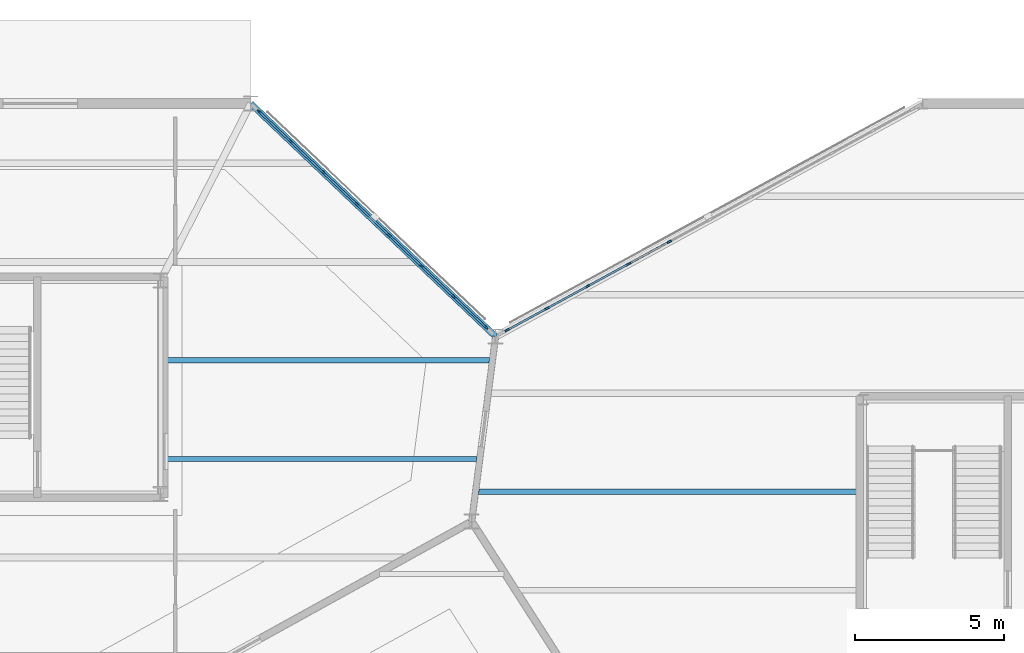
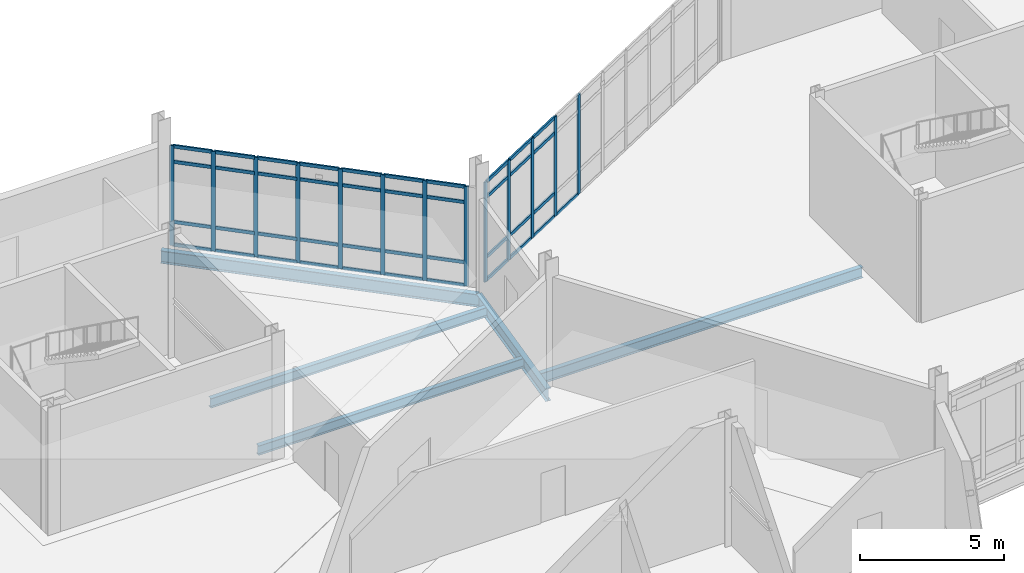
# One storey, part 65 of 113: 54 members, 5 beams, 2 elements without a shape of their own.
"""IFC4 building model written with IfcOpenShell, lengths in metres."""

import ifcopenshell
import ifcopenshell.guid

model = None  # the IFC model being written
_history = None  # IfcOwnerHistory: only IFC2X3 demands one
_inside = {}  # id of a spatial element -> (the spatial element, [elements in it])
_under = {}  # id of a project, library or spatial element -> (it, [spatial elements below it])
_declared = {}  # id of a project -> (the project, [libraries it declares])
_typed = {}  # id of a type object -> (the type object, [elements of that type])
_made_of = {}  # id of a material, layer set ... -> (it, [elements and type objects made of it])


def new_model(schema):
    """Start an empty IFC model of exactly this schema.

    Asked for "IFC4X3", IfcOpenShell would pick the latest addendum, in which some entities
    have other attributes; the version numbers below select the first issue.
    IFC2X3 requires an IfcOwnerHistory on every rooted entity: one is made here for all.
    """
    global model, _history
    if schema == "IFC4X3":
        model = ifcopenshell.file(schema_version=(4, 3, 0, 0))
    else:
        model = ifcopenshell.file(schema=schema)
    _inside.clear()
    _under.clear()
    _declared.clear()
    _typed.clear()
    _made_of.clear()
    _history = None
    if model.schema == "IFC2X3":
        org = make("IfcOrganization", Name="unknown")
        user = make(
            "IfcPersonAndOrganization",
            ThePerson=make("IfcPerson", FamilyName="unknown"),
            TheOrganization=org,
        )
        app = make(
            "IfcApplication",
            ApplicationDeveloper=org,
            Version="unknown",
            ApplicationFullName="unknown",
            ApplicationIdentifier="unknown",
        )
        _history = make(
            "IfcOwnerHistory",
            OwningUser=user,
            OwningApplication=app,
            ChangeAction="ADDED",
            CreationDate=0,
        )
    return model


def make(cls, **values):
    """One entity of the class cls with the attributes given. An attribute that is None is left unset."""
    return model.create_entity(
        cls, **{name: value for name, value in values.items() if value is not None}
    )


def rooted(cls, **values):
    """An entity with a GlobalId (a new one), such as an element, a storey or a relation."""
    return make(cls, GlobalId=ifcopenshell.guid.new(), OwnerHistory=_history, **values)


def si_unit(unit_type, name, prefix=None):
    """IfcSIUnit, for example si_unit("LENGTHUNIT", "METRE", prefix="MILLI")."""
    return make("IfcSIUnit", UnitType=unit_type, Prefix=prefix, Name=name)


def assignment(units):
    """IfcUnitAssignment: the units of a project."""
    return None if units is None else make("IfcUnitAssignment", Units=units)


def point(xyz):
    """IfcCartesianPoint."""
    return None if xyz is None else make("IfcCartesianPoint", Coordinates=xyz)


def direction(xyz):
    """IfcDirection."""
    return None if xyz is None else make("IfcDirection", DirectionRatios=xyz)


def frame(location, z_axis=None, x_axis=None):
    """IfcAxis2Placement3D, a coordinate frame: its origin and axes. An axis left out is left unset."""
    return make(
        "IfcAxis2Placement3D",
        Location=point(location),
        Axis=direction(z_axis),
        RefDirection=direction(x_axis),
    )


def frame_2d(location, x_axis=None):
    """IfcAxis2Placement2D, a coordinate frame in the plane: its origin and x axis."""
    return make(
        "IfcAxis2Placement2D", Location=point(location), RefDirection=direction(x_axis)
    )


def origin():
    """The frame at (0, 0, 0) with its axes left unset."""
    return frame((0.0, 0.0, 0.0))


def origin_2d():
    """The frame at (0, 0) in the plane with its x axis left unset."""
    return frame_2d((0.0, 0.0))


def place(relative_to, where):
    """IfcLocalPlacement: puts the frame where relative to a parent placement (None: the world)."""
    return make(
        "IfcLocalPlacement", PlacementRelTo=relative_to, RelativePlacement=where
    )


def context(
    kind, dimensions, precision=None, world=None, true_north=None, identifier=None
):
    """IfcGeometricRepresentationContext, for example the 3D "Model" context."""
    return make(
        "IfcGeometricRepresentationContext",
        ContextIdentifier=identifier,
        ContextType=kind,
        CoordinateSpaceDimension=dimensions,
        Precision=precision,
        WorldCoordinateSystem=world,
        TrueNorth=true_north,
    )


def subcontext(parent, identifier, kind, view, scale=None):
    """IfcGeometricRepresentationSubContext, for example "Body" below "Model"."""
    return make(
        "IfcGeometricRepresentationSubContext",
        ContextIdentifier=identifier,
        ContextType=kind,
        ParentContext=parent,
        TargetScale=scale,
        TargetView=view,
    )


def project(units=None, contexts=None):
    """IfcProject with its units and contexts."""
    return rooted(
        "IfcProject",
        Name="project",
        RepresentationContexts=contexts,
        UnitsInContext=assignment(units),
    )


def spatial(cls, under=None, at=None, **own):
    """A site, building, storey or space (cls), placed at a placement, below another one or the project."""
    s = rooted(cls, ObjectPlacement=at, **own)
    if under is not None:
        _under.setdefault(under.id(), (under, []))[1].append(s)
    return s


def profile(cls, at=None, kind="AREA", **sizes):
    """A parametric profile (cls). Its sizes go by their IFC names, for example OverallWidth=200.0."""
    return make(cls, ProfileType=kind, Position=at, **sizes)


def rectangle(**sizes):
    """IfcRectangleProfileDef."""
    return profile("IfcRectangleProfileDef", **sizes)


def i_section(**sizes):
    """IfcIShapeProfileDef."""
    return profile("IfcIShapeProfileDef", **sizes)


def extrude(swept, where, along, depth):
    """IfcExtrudedAreaSolid: the profile swept, set in the frame where, extruded along a direction by depth."""
    return make(
        "IfcExtrudedAreaSolid",
        SweptArea=swept,
        Position=where,
        ExtrudedDirection=direction(along),
        Depth=depth,
    )


def shape(context_of_items, identifier, shape_type, items):
    """IfcShapeRepresentation: the items that make up one representation, for example the "Body"."""
    return make(
        "IfcShapeRepresentation",
        ContextOfItems=context_of_items,
        RepresentationIdentifier=identifier,
        RepresentationType=shape_type,
        Items=items,
    )


def material(Name=None, Category=None):
    """IfcMaterial."""
    return make("IfcMaterial", Name=Name, Category=Category)


def material_profile(
    of_material, cross_section, Name=None, Category=None, Priority=None
):
    """IfcMaterialProfile: a cross section and its material."""
    return make(
        "IfcMaterialProfile",
        Name=Name,
        Material=of_material,
        Profile=cross_section,
        Priority=Priority,
        Category=Category,
    )


def profile_set(profiles, Name=None, composite=None):
    """IfcMaterialProfileSet."""
    return make(
        "IfcMaterialProfileSet",
        Name=Name,
        MaterialProfiles=profiles,
        CompositeProfile=composite,
    )


def made_of(thing, what):
    """Note that an element or type object is made of a material, layer set ...; save() writes the relation."""
    if what is not None:
        _made_of.setdefault(what.id(), (what, []))[1].append(thing)
    return thing


def type_object(cls, material=None, **own):
    """A type object (cls), such as IfcWallType, which elements share."""
    return made_of(rooted(cls, **own), material)


def element(
    cls,
    number,
    at=None,
    inside=None,
    cuts=None,
    type_object=None,
    material=None,
    context=None,
    identifier="Body",
    shape_type=None,
    held_by="IfcProductDefinitionShape",
    body=None,
    shapes=None,
    **own,
):
    """One element of the class cls, such as IfcWall. Its Tag is "e" and its number.

    at: its placement. inside: the storey or other place that contains it. cuts: it is an
    opening in that element (IfcRelVoidsElement). A single representation is given by context,
    identifier, shape_type and body (its items); several are given by shapes. held_by: the class
    of the entity that holds the representations. save() writes the other relations.
    """
    e = rooted(cls, Tag="e%d" % number, ObjectPlacement=at, **own)
    if body is not None:
        shapes = [shape(context, identifier, shape_type, body)]
    if shapes is not None:
        e.Representation = make(held_by, Representations=shapes)
    if inside is not None:
        _inside.setdefault(inside.id(), (inside, []))[1].append(e)
    if cuts is not None:
        rooted(
            "IfcRelVoidsElement", RelatingBuildingElement=cuts, RelatedOpeningElement=e
        )
    if type_object is not None:
        _typed.setdefault(type_object.id(), (type_object, []))[1].append(e)
    return made_of(e, material)


def aggregate(whole, parts):
    """IfcRelAggregates: a whole, such as a stair, and the parts it consists of."""
    return rooted("IfcRelAggregates", RelatingObject=whole, RelatedObjects=parts)


def save(model, path):
    """Write the relations noted so far, then the file.

    IfcRelAggregates (storeys below a building ...), IfcRelContainedInSpatialStructure (elements
    in a storey), IfcRelDefinesByType, IfcRelAssociatesMaterial and IfcRelDeclares: one each for
    every whole, place, type object, material and project.
    """
    for whole, parts in _under.values():
        aggregate(whole, parts)
    for where, things in _inside.values():
        rooted(
            "IfcRelContainedInSpatialStructure",
            RelatedElements=things,
            RelatingStructure=where,
        )
    for kind, things in _typed.values():
        rooted("IfcRelDefinesByType", RelatedObjects=things, RelatingType=kind)
    for what, things in _made_of.values():
        rooted("IfcRelAssociatesMaterial", RelatedObjects=things, RelatingMaterial=what)
    for by, libraries in _declared.values():
        rooted("IfcRelDeclares", RelatingContext=by, RelatedDefinitions=libraries)
    model.write(path)


model = new_model("IFC4")

# Units and contexts
model_context = context("Model", 3, precision=1e-05, world=origin(), true_north=direction((0.0, 1.0)))
body_context = subcontext(model_context, "Body", "Model", "MODEL_VIEW")
ifc_project = project(units=[si_unit("LENGTHUNIT", "METRE"), si_unit("AREAUNIT", "SQUARE_METRE"), si_unit("VOLUMEUNIT", "CUBIC_METRE"), si_unit("PLANEANGLEUNIT", "RADIAN"), si_unit("MASSUNIT", "GRAM", prefix="KILO")], contexts=[model_context])

# Site, building, storey
site_placement = place(None, origin())
site = spatial("IfcSite", under=ifc_project, at=site_placement, CompositionType="ELEMENT")
building_placement = place(site_placement, origin())
building = spatial("IfcBuilding", under=site, at=building_placement, Name="Tameran Prism Museum", CompositionType="ELEMENT")
storey_placement = place(building_placement, origin())
storey = spatial("IfcBuildingStorey", under=building, at=storey_placement, Name="L00", CompositionType="ELEMENT", Elevation=0.0)

# Beams
ifc_material_1 = material(Name="Steel Grade 300PLUS (300 MPa)", Category="steel")
ifc_material_profile_1 = material_profile(ifc_material_1, i_section(OverallWidth=0.177978515625, OverallDepth=0.403076171875, WebThickness=0.007568359375, FlangeThickness=0.010986328125, FilletRadius=0.011474609375, at=origin_2d()))
ifc_profile_set_1 = profile_set([ifc_material_profile_1])
beam_type_1 = type_object("IfcBeamType", Name="BM-J410B", PredefinedType="JOIST", material=ifc_profile_set_1)
beam_1_placement = place(storey_placement, frame((124.47998046875, 100.10009765625, -0.44140625), z_axis=(1.0, 0.0, 0.0), x_axis=(0.0, 1.0, 0.0)))
element("IfcBeam", 1, at=beam_1_placement, inside=storey, type_object=beam_type_1, Name="Floor Beam BM-0185", PredefinedType="JOIST", context=body_context, shape_type="SweptSolid", body=[
    extrude(i_section(OverallWidth=0.177978515625, OverallDepth=0.403076171875, WebThickness=0.007568359375, FlangeThickness=0.010986328125, FilletRadius=0.011474609375, at=origin_2d()), origin(), (0.0, 0.0, 1.0), 10.651123046875),
])
beam_2_placement = place(storey_placement, frame((124.47998046875, 103.39990234375, -0.44140625), z_axis=(1.0, 0.0, 0.0), x_axis=(0.0, 1.0, 0.0)))
element("IfcBeam", 2, at=beam_2_placement, inside=storey, type_object=beam_type_1, Name="Floor Beam BM-0187", PredefinedType="JOIST", context=body_context, shape_type="SweptSolid", body=[
    extrude(i_section(OverallWidth=0.177978515625, OverallDepth=0.403076171875, WebThickness=0.007568359375, FlangeThickness=0.010986328125, FilletRadius=0.011474609375, at=origin_2d()), origin(), (0.0, 0.0, 1.0), 11.075927734375),
])
ifc_material_2 = material(Name="Steel Grade 300PLUS (300 MPa)", Category="steel")
ifc_material_profile_2 = material_profile(ifc_material_2, i_section(OverallWidth=0.18994140625, OverallDepth=0.4541015625, WebThickness=0.008544921875, FlangeThickness=0.0126953125, FilletRadius=0.011474609375, at=origin_2d()))
ifc_profile_set_2 = profile_set([ifc_material_profile_2])
beam_type_2 = type_object("IfcBeamType", Name="BM-J460B", PredefinedType="JOIST", material=ifc_profile_set_2)
beam_3_placement = place(storey_placement, frame((135.069091796875, 99.0, -0.467041015625), z_axis=(1.0, 0.0, 0.0), x_axis=(0.0, 1.0, 0.0)))
element("IfcBeam", 3, at=beam_3_placement, inside=storey, type_object=beam_type_2, Name="Floor Beam BM-0194", PredefinedType="JOIST", context=body_context, shape_type="SweptSolid", body=[
    extrude(i_section(OverallWidth=0.18994140625, OverallDepth=0.4541015625, WebThickness=0.008544921875, FlangeThickness=0.0126953125, FilletRadius=0.011474609375, at=origin_2d()), origin(), (0.0, 0.0, 1.0), 12.950927734375),
])
ifc_material_3 = material(Name="Steel Grade 300PLUS (300 MPa)", Category="steel")
ifc_material_profile_3 = material_profile(ifc_material_3, i_section(OverallWidth=0.208984375, OverallDepth=0.532958984375, WebThickness=0.01025390625, FlangeThickness=0.015625, FilletRadius=0.013916015625, at=origin_2d()))
ifc_profile_set_3 = profile_set([ifc_material_profile_3])
beam_type_3 = type_object("IfcBeamType", Name="BM-SP530A", PredefinedType="SPANDREL", material=ifc_profile_set_3)
beam_4_placement = place(storey_placement, frame((135.699951171875, 104.199951171875, -0.506591796875), z_axis=(-0.724553857676, 0.689218185575, 0.0), x_axis=(-0.689218185575, -0.724553857676, 0.0)))
element("IfcBeam", 4, at=beam_4_placement, inside=storey, type_object=beam_type_3, Name="Perimeter Spandrel SP-0012", PredefinedType="SPANDREL", context=body_context, shape_type="SweptSolid", body=[
    extrude(i_section(OverallWidth=0.208984375, OverallDepth=0.532958984375, WebThickness=0.01025390625, FlangeThickness=0.015625, FilletRadius=0.013916015625, at=origin_2d()), origin(), (0.0, 0.0, 1.0), 11.317138671875),
])
ifc_material_4 = material(Name="Steel Grade 300PLUS (300 MPa)", Category="steel")
ifc_material_profile_4 = material_profile(ifc_material_4, i_section(OverallWidth=0.208984375, OverallDepth=0.528076171875, WebThickness=0.009521484375, FlangeThickness=0.01318359375, FilletRadius=0.013916015625, at=origin_2d()))
ifc_profile_set_4 = profile_set([ifc_material_profile_4])
beam_type_4 = type_object("IfcBeamType", Name="BM-SP530B", PredefinedType="SPANDREL", material=ifc_profile_set_4)
beam_5_placement = place(storey_placement, frame((134.89990234375, 98.0, -0.50390625), z_axis=(0.127980011854, 0.991776747341, 0.0), x_axis=(-0.991776747341, 0.127980011854, 0.0)))
element("IfcBeam", 5, at=beam_5_placement, inside=storey, type_object=beam_type_4, Name="Perimeter Spandrel SP-0011", PredefinedType="SPANDREL", context=body_context, shape_type="SweptSolid", body=[
    extrude(i_section(OverallWidth=0.208984375, OverallDepth=0.528076171875, WebThickness=0.009521484375, FlangeThickness=0.01318359375, FilletRadius=0.013916015625, at=origin_2d()), origin(), (0.0, 0.0, 1.0), 6.25146484375),
])

# Curtain wall, members
ifc_material_5 = material(Name="Anodised Aluminium 6063-T6 and Cyclone Solar Glass", Category="aluminium")
curtain_wall_type_1 = type_object("IfcCurtainWallType", Name="CW-FAC-1056x422", PredefinedType="USERDEFINED", material=ifc_material_5)
curtain_wall_1_placement = place(storey_placement, origin())
curtain_wall_1 = element("IfcCurtainWall", 6, at=curtain_wall_1_placement, inside=storey, type_object=curtain_wall_type_1, Name="Unitised Curtain Wall CW-023", ObjectType="UNITISED CURTAIN WALL", PredefinedType="USERDEFINED")
ifc_material_6 = material(Name="Anodised Aluminium Alloy 6063-T6", Category="aluminium")
ifc_material_profile_5 = material_profile(ifc_material_6, rectangle(XDim=0.06494140625, YDim=0.159912109375, at=origin_2d()))
ifc_profile_set_5 = profile_set([ifc_material_profile_5])
member_type_1 = type_object("IfcMemberType", Name="CW-MUL-A", PredefinedType="MULLION", material=ifc_profile_set_5)
member_1_placement = place(storey_placement, frame((127.777587890625, 111.736572265625, 0.0), z_axis=(0.0, 0.0, 1.0), x_axis=(0.689269554042, 0.724504990922, 0.0)))
member_1 = element("IfcMember", 7, at=member_1_placement, type_object=member_type_1, Name="CW-023 mullion 1", PredefinedType="MULLION", context=body_context, shape_type="SweptSolid", body=[
    extrude(rectangle(XDim=0.06494140625, YDim=0.159912109375, at=origin_2d()), origin(), (0.0, 0.0, 1.0), 4.219970703125),
])
member_2_placement = place(storey_placement, frame((128.8466796875, 110.719482421875, 0.0), z_axis=(0.0, 0.0, 1.0), x_axis=(0.689269554042, 0.724504990922, 0.0)))
member_2 = element("IfcMember", 8, at=member_2_placement, type_object=member_type_1, Name="CW-023 mullion 2", PredefinedType="MULLION", context=body_context, shape_type="SweptSolid", body=[
    extrude(rectangle(XDim=0.06494140625, YDim=0.159912109375, at=origin_2d()), origin(), (0.0, 0.0, 1.0), 4.219970703125),
])
member_3_placement = place(storey_placement, frame((129.939453125, 109.679931640625, 0.0), z_axis=(0.0, 0.0, 1.0), x_axis=(0.689269554042, 0.724504990922, 0.0)))
member_3 = element("IfcMember", 9, at=member_3_placement, type_object=member_type_1, Name="CW-023 mullion 3", PredefinedType="MULLION", context=body_context, shape_type="SweptSolid", body=[
    extrude(rectangle(XDim=0.06494140625, YDim=0.159912109375, at=origin_2d()), origin(), (0.0, 0.0, 1.0), 4.219970703125),
])
member_4_placement = place(storey_placement, frame((131.0322265625, 108.640380859375, 0.0), z_axis=(0.0, 0.0, 1.0), x_axis=(0.689269554042, 0.724504990922, 0.0)))
member_4 = element("IfcMember", 10, at=member_4_placement, type_object=member_type_1, Name="CW-023 mullion 4", PredefinedType="MULLION", context=body_context, shape_type="SweptSolid", body=[
    extrude(rectangle(XDim=0.06494140625, YDim=0.159912109375, at=origin_2d()), origin(), (0.0, 0.0, 1.0), 4.219970703125),
])
member_5_placement = place(storey_placement, frame((132.124755859375, 107.600830078125, 0.0), z_axis=(0.0, 0.0, 1.0), x_axis=(0.689269554042, 0.724504990922, 0.0)))
member_5 = element("IfcMember", 11, at=member_5_placement, type_object=member_type_1, Name="CW-023 mullion 5", PredefinedType="MULLION", context=body_context, shape_type="SweptSolid", body=[
    extrude(rectangle(XDim=0.06494140625, YDim=0.159912109375, at=origin_2d()), origin(), (0.0, 0.0, 1.0), 4.219970703125),
])
member_6_placement = place(storey_placement, frame((133.217529296875, 106.56103515625, 0.0), z_axis=(0.0, 0.0, 1.0), x_axis=(0.689269554042, 0.724504990922, 0.0)))
member_6 = element("IfcMember", 12, at=member_6_placement, type_object=member_type_1, Name="CW-023 mullion 6", PredefinedType="MULLION", context=body_context, shape_type="SweptSolid", body=[
    extrude(rectangle(XDim=0.06494140625, YDim=0.159912109375, at=origin_2d()), origin(), (0.0, 0.0, 1.0), 4.219970703125),
])
member_7_placement = place(storey_placement, frame((134.310302734375, 105.521484375, 0.0), z_axis=(0.0, 0.0, 1.0), x_axis=(0.689269554042, 0.724504990922, 0.0)))
member_7 = element("IfcMember", 13, at=member_7_placement, type_object=member_type_1, Name="CW-023 mullion 7", PredefinedType="MULLION", context=body_context, shape_type="SweptSolid", body=[
    extrude(rectangle(XDim=0.06494140625, YDim=0.159912109375, at=origin_2d()), origin(), (0.0, 0.0, 1.0), 4.219970703125),
])
member_8_placement = place(storey_placement, frame((135.37939453125, 104.50439453125, 0.0), z_axis=(0.0, 0.0, 1.0), x_axis=(0.689269554042, 0.724504990922, 0.0)))
member_8 = element("IfcMember", 14, at=member_8_placement, type_object=member_type_1, Name="CW-023 mullion 8", PredefinedType="MULLION", context=body_context, shape_type="SweptSolid", body=[
    extrude(rectangle(XDim=0.06494140625, YDim=0.159912109375, at=origin_2d()), origin(), (0.0, 0.0, 1.0), 4.219970703125),
])

ifc_material_7 = material(Name="Anodised Aluminium 6063-T6 and Cyclone Solar Glass", Category="aluminium")
curtain_wall_type_2 = type_object("IfcCurtainWallType", Name="CW-FAC-1553x422", PredefinedType="USERDEFINED", material=ifc_material_7)
curtain_wall_2_placement = place(storey_placement, origin())
curtain_wall_2 = element("IfcCurtainWall", 15, at=curtain_wall_2_placement, inside=storey, type_object=curtain_wall_type_2, Name="Unitised Curtain Wall CW-027", ObjectType="UNITISED CURTAIN WALL", PredefinedType="USERDEFINED")
member_9_placement = place(storey_placement, frame((136.088623046875, 104.41259765625, 0.0), z_axis=(0.0, 0.0, 1.0), x_axis=(-0.478793474805, 0.877927564486, 0.0)))
member_9 = element("IfcMember", 16, at=member_9_placement, type_object=member_type_1, Name="CW-027 mullion 1", PredefinedType="MULLION", context=body_context, shape_type="SweptSolid", body=[
    extrude(rectangle(XDim=0.06494140625, YDim=0.159912109375, at=origin_2d()), origin(), (0.0, 0.0, 1.0), 4.219970703125),
])
member_10_placement = place(storey_placement, frame((137.42333984375, 105.140380859375, 0.0), z_axis=(0.0, 0.0, 1.0), x_axis=(-0.478793474805, 0.877927564486, 0.0)))
member_10 = element("IfcMember", 17, at=member_10_placement, type_object=member_type_1, Name="CW-027 mullion 2", PredefinedType="MULLION", context=body_context, shape_type="SweptSolid", body=[
    extrude(rectangle(XDim=0.06494140625, YDim=0.159912109375, at=origin_2d()), origin(), (0.0, 0.0, 1.0), 4.219970703125),
])
member_11_placement = place(storey_placement, frame((138.78662109375, 105.884033203125, 0.0), z_axis=(0.0, 0.0, 1.0), x_axis=(-0.478793474805, 0.877927564486, 0.0)))
member_11 = element("IfcMember", 18, at=member_11_placement, type_object=member_type_1, Name="CW-027 mullion 3", PredefinedType="MULLION", context=body_context, shape_type="SweptSolid", body=[
    extrude(rectangle(XDim=0.06494140625, YDim=0.159912109375, at=origin_2d()), origin(), (0.0, 0.0, 1.0), 4.219970703125),
])
member_12_placement = place(storey_placement, frame((140.14990234375, 106.62744140625, 0.0), z_axis=(0.0, 0.0, 1.0), x_axis=(-0.478793474805, 0.877927564486, 0.0)))
member_12 = element("IfcMember", 19, at=member_12_placement, type_object=member_type_1, Name="CW-027 mullion 4", PredefinedType="MULLION", context=body_context, shape_type="SweptSolid", body=[
    extrude(rectangle(XDim=0.06494140625, YDim=0.159912109375, at=origin_2d()), origin(), (0.0, 0.0, 1.0), 4.219970703125),
])
member_13_placement = place(storey_placement, frame((141.51318359375, 107.37109375, 0.0), z_axis=(0.0, 0.0, 1.0), x_axis=(-0.478793474805, 0.877927564486, 0.0)))
member_13 = element("IfcMember", 20, at=member_13_placement, type_object=member_type_1, Name="CW-027 mullion 5", PredefinedType="MULLION", context=body_context, shape_type="SweptSolid", body=[
    extrude(rectangle(XDim=0.06494140625, YDim=0.159912109375, at=origin_2d()), origin(), (0.0, 0.0, 1.0), 4.219970703125),
])

# Member
ifc_material_8 = material(Name="Anodised Aluminium Alloy 6063-T6", Category="aluminium")
ifc_material_profile_6 = material_profile(ifc_material_8, rectangle(XDim=0.06494140625, YDim=0.139892578125, at=origin_2d()))
ifc_profile_set_6 = profile_set([ifc_material_profile_6])
member_type_2 = type_object("IfcMemberType", Name="CW-TRN-A", PredefinedType="USERDEFINED", material=ifc_profile_set_6)
member_14_placement = place(storey_placement, frame((127.801025390625, 111.714111328125, 0.032470703125), z_axis=(0.724623403735, -0.689145066557, 0.0), x_axis=(0.689145066557, 0.724623403735, 0.0)))
member_14 = element("IfcMember", 21, at=member_14_placement, type_object=member_type_2, Name="CW-023 transom 1.1", ObjectType="TRANSOM", PredefinedType="USERDEFINED", context=body_context, shape_type="SweptSolid", body=[
    extrude(rectangle(XDim=0.06494140625, YDim=0.139892578125, at=origin_2d()), origin(), (0.0, 0.0, 1.0), 1.41064453125),
])

member_15_placement = place(storey_placement, frame((127.801025390625, 111.714111328125, 1.0), z_axis=(0.724623403735, -0.689145066557, 0.0), x_axis=(0.689145066557, 0.724623403735, 0.0)))
member_15 = element("IfcMember", 22, at=member_15_placement, type_object=member_type_2, Name="CW-023 transom 1.2", ObjectType="TRANSOM", PredefinedType="USERDEFINED", context=body_context, shape_type="SweptSolid", body=[
    extrude(rectangle(XDim=0.06494140625, YDim=0.139892578125, at=origin_2d()), origin(), (0.0, 0.0, 1.0), 1.41064453125),
])

member_16_placement = place(storey_placement, frame((127.801025390625, 111.714111328125, 3.5400390625), z_axis=(0.724623403735, -0.689145066557, 0.0), x_axis=(0.689145066557, 0.724623403735, 0.0)))
member_16 = element("IfcMember", 23, at=member_16_placement, type_object=member_type_2, Name="CW-023 transom 1.3", ObjectType="TRANSOM", PredefinedType="USERDEFINED", context=body_context, shape_type="SweptSolid", body=[
    extrude(rectangle(XDim=0.06494140625, YDim=0.139892578125, at=origin_2d()), origin(), (0.0, 0.0, 1.0), 1.41064453125),
])

member_17_placement = place(storey_placement, frame((127.801025390625, 111.714111328125, 4.1875), z_axis=(0.724623403735, -0.689145066557, 0.0), x_axis=(0.689145066557, 0.724623403735, 0.0)))
member_17 = element("IfcMember", 24, at=member_17_placement, type_object=member_type_2, Name="CW-023 transom 1.4", ObjectType="TRANSOM", PredefinedType="USERDEFINED", context=body_context, shape_type="SweptSolid", body=[
    extrude(rectangle(XDim=0.06494140625, YDim=0.139892578125, at=origin_2d()), origin(), (0.0, 0.0, 1.0), 1.41064453125),
])

member_18_placement = place(storey_placement, frame((128.870361328125, 110.697021484375, 0.032470703125), z_axis=(0.724399383235, -0.689380543364, 0.0), x_axis=(0.689380543364, 0.724399383235, 0.0)))
member_18 = element("IfcMember", 25, at=member_18_placement, type_object=member_type_2, Name="CW-023 transom 2.1", ObjectType="TRANSOM", PredefinedType="USERDEFINED", context=body_context, shape_type="SweptSolid", body=[
    extrude(rectangle(XDim=0.06494140625, YDim=0.139892578125, at=origin_2d()), origin(), (0.0, 0.0, 1.0), 1.443115234375),
])

member_19_placement = place(storey_placement, frame((128.870361328125, 110.697021484375, 1.0), z_axis=(0.724399383235, -0.689380543364, 0.0), x_axis=(0.689380543364, 0.724399383235, 0.0)))
member_19 = element("IfcMember", 26, at=member_19_placement, type_object=member_type_2, Name="CW-023 transom 2.2", ObjectType="TRANSOM", PredefinedType="USERDEFINED", context=body_context, shape_type="SweptSolid", body=[
    extrude(rectangle(XDim=0.06494140625, YDim=0.139892578125, at=origin_2d()), origin(), (0.0, 0.0, 1.0), 1.443115234375),
])

member_20_placement = place(storey_placement, frame((128.870361328125, 110.697021484375, 3.5400390625), z_axis=(0.724399383235, -0.689380543364, 0.0), x_axis=(0.689380543364, 0.724399383235, 0.0)))
member_20 = element("IfcMember", 27, at=member_20_placement, type_object=member_type_2, Name="CW-023 transom 2.3", ObjectType="TRANSOM", PredefinedType="USERDEFINED", context=body_context, shape_type="SweptSolid", body=[
    extrude(rectangle(XDim=0.06494140625, YDim=0.139892578125, at=origin_2d()), origin(), (0.0, 0.0, 1.0), 1.443115234375),
])

member_21_placement = place(storey_placement, frame((128.870361328125, 110.697021484375, 4.1875), z_axis=(0.724399383235, -0.689380543364, 0.0), x_axis=(0.689380543364, 0.724399383235, 0.0)))
member_21 = element("IfcMember", 28, at=member_21_placement, type_object=member_type_2, Name="CW-023 transom 2.4", ObjectType="TRANSOM", PredefinedType="USERDEFINED", context=body_context, shape_type="SweptSolid", body=[
    extrude(rectangle(XDim=0.06494140625, YDim=0.139892578125, at=origin_2d()), origin(), (0.0, 0.0, 1.0), 1.443115234375),
])

member_22_placement = place(storey_placement, frame((129.962890625, 109.657470703125, 0.032470703125), z_axis=(0.724479767237, -0.68929606619, 0.0), x_axis=(0.68929606619, 0.724479767237, 0.0)))
member_22 = element("IfcMember", 29, at=member_22_placement, type_object=member_type_2, Name="CW-023 transom 3.1", ObjectType="TRANSOM", PredefinedType="USERDEFINED", context=body_context, shape_type="SweptSolid", body=[
    extrude(rectangle(XDim=0.06494140625, YDim=0.139892578125, at=origin_2d()), origin(), (0.0, 0.0, 1.0), 1.443359375),
])

member_23_placement = place(storey_placement, frame((129.962890625, 109.657470703125, 1.0), z_axis=(0.724479767237, -0.68929606619, 0.0), x_axis=(0.68929606619, 0.724479767237, 0.0)))
member_23 = element("IfcMember", 30, at=member_23_placement, type_object=member_type_2, Name="CW-023 transom 3.2", ObjectType="TRANSOM", PredefinedType="USERDEFINED", context=body_context, shape_type="SweptSolid", body=[
    extrude(rectangle(XDim=0.06494140625, YDim=0.139892578125, at=origin_2d()), origin(), (0.0, 0.0, 1.0), 1.443359375),
])

member_24_placement = place(storey_placement, frame((129.962890625, 109.657470703125, 3.5400390625), z_axis=(0.724479767237, -0.68929606619, 0.0), x_axis=(0.68929606619, 0.724479767237, 0.0)))
member_24 = element("IfcMember", 31, at=member_24_placement, type_object=member_type_2, Name="CW-023 transom 3.3", ObjectType="TRANSOM", PredefinedType="USERDEFINED", context=body_context, shape_type="SweptSolid", body=[
    extrude(rectangle(XDim=0.06494140625, YDim=0.139892578125, at=origin_2d()), origin(), (0.0, 0.0, 1.0), 1.443359375),
])

member_25_placement = place(storey_placement, frame((129.962890625, 109.657470703125, 4.1875), z_axis=(0.724479767237, -0.68929606619, 0.0), x_axis=(0.68929606619, 0.724479767237, 0.0)))
member_25 = element("IfcMember", 32, at=member_25_placement, type_object=member_type_2, Name="CW-023 transom 3.4", ObjectType="TRANSOM", PredefinedType="USERDEFINED", context=body_context, shape_type="SweptSolid", body=[
    extrude(rectangle(XDim=0.06494140625, YDim=0.139892578125, at=origin_2d()), origin(), (0.0, 0.0, 1.0), 1.443359375),
])

member_26_placement = place(storey_placement, frame((131.0556640625, 108.617919921875, 0.032470703125), z_axis=(0.724479767237, -0.68929606619, 0.0), x_axis=(0.68929606619, 0.724479767237, 0.0)))
member_26 = element("IfcMember", 33, at=member_26_placement, type_object=member_type_2, Name="CW-023 transom 4.1", ObjectType="TRANSOM", PredefinedType="USERDEFINED", context=body_context, shape_type="SweptSolid", body=[
    extrude(rectangle(XDim=0.06494140625, YDim=0.139892578125, at=origin_2d()), origin(), (0.0, 0.0, 1.0), 1.443359375),
])

member_27_placement = place(storey_placement, frame((131.0556640625, 108.617919921875, 1.0), z_axis=(0.724479767237, -0.68929606619, 0.0), x_axis=(0.68929606619, 0.724479767237, 0.0)))
member_27 = element("IfcMember", 34, at=member_27_placement, type_object=member_type_2, Name="CW-023 transom 4.2", ObjectType="TRANSOM", PredefinedType="USERDEFINED", context=body_context, shape_type="SweptSolid", body=[
    extrude(rectangle(XDim=0.06494140625, YDim=0.139892578125, at=origin_2d()), origin(), (0.0, 0.0, 1.0), 1.443359375),
])

member_28_placement = place(storey_placement, frame((131.0556640625, 108.617919921875, 3.5400390625), z_axis=(0.724479767237, -0.68929606619, 0.0), x_axis=(0.68929606619, 0.724479767237, 0.0)))
member_28 = element("IfcMember", 35, at=member_28_placement, type_object=member_type_2, Name="CW-023 transom 4.3", ObjectType="TRANSOM", PredefinedType="USERDEFINED", context=body_context, shape_type="SweptSolid", body=[
    extrude(rectangle(XDim=0.06494140625, YDim=0.139892578125, at=origin_2d()), origin(), (0.0, 0.0, 1.0), 1.443359375),
])

member_29_placement = place(storey_placement, frame((131.0556640625, 108.617919921875, 4.1875), z_axis=(0.724479767237, -0.68929606619, 0.0), x_axis=(0.68929606619, 0.724479767237, 0.0)))
member_29 = element("IfcMember", 36, at=member_29_placement, type_object=member_type_2, Name="CW-023 transom 4.4", ObjectType="TRANSOM", PredefinedType="USERDEFINED", context=body_context, shape_type="SweptSolid", body=[
    extrude(rectangle(XDim=0.06494140625, YDim=0.139892578125, at=origin_2d()), origin(), (0.0, 0.0, 1.0), 1.443359375),
])

member_30_placement = place(storey_placement, frame((132.1484375, 107.578369140625, 0.032470703125), z_axis=(0.724479767237, -0.68929606619, 0.0), x_axis=(0.68929606619, 0.724479767237, 0.0)))
member_30 = element("IfcMember", 37, at=member_30_placement, type_object=member_type_2, Name="CW-023 transom 5.1", ObjectType="TRANSOM", PredefinedType="USERDEFINED", context=body_context, shape_type="SweptSolid", body=[
    extrude(rectangle(XDim=0.06494140625, YDim=0.139892578125, at=origin_2d()), origin(), (0.0, 0.0, 1.0), 1.443359375),
])

member_31_placement = place(storey_placement, frame((132.1484375, 107.578369140625, 1.0), z_axis=(0.724479767237, -0.68929606619, 0.0), x_axis=(0.68929606619, 0.724479767237, 0.0)))
member_31 = element("IfcMember", 38, at=member_31_placement, type_object=member_type_2, Name="CW-023 transom 5.2", ObjectType="TRANSOM", PredefinedType="USERDEFINED", context=body_context, shape_type="SweptSolid", body=[
    extrude(rectangle(XDim=0.06494140625, YDim=0.139892578125, at=origin_2d()), origin(), (0.0, 0.0, 1.0), 1.443359375),
])

member_32_placement = place(storey_placement, frame((132.1484375, 107.578369140625, 3.5400390625), z_axis=(0.724479767237, -0.68929606619, 0.0), x_axis=(0.68929606619, 0.724479767237, 0.0)))
member_32 = element("IfcMember", 39, at=member_32_placement, type_object=member_type_2, Name="CW-023 transom 5.3", ObjectType="TRANSOM", PredefinedType="USERDEFINED", context=body_context, shape_type="SweptSolid", body=[
    extrude(rectangle(XDim=0.06494140625, YDim=0.139892578125, at=origin_2d()), origin(), (0.0, 0.0, 1.0), 1.443359375),
])

member_33_placement = place(storey_placement, frame((132.1484375, 107.578369140625, 4.1875), z_axis=(0.724479767237, -0.68929606619, 0.0), x_axis=(0.68929606619, 0.724479767237, 0.0)))
member_33 = element("IfcMember", 40, at=member_33_placement, type_object=member_type_2, Name="CW-023 transom 5.4", ObjectType="TRANSOM", PredefinedType="USERDEFINED", context=body_context, shape_type="SweptSolid", body=[
    extrude(rectangle(XDim=0.06494140625, YDim=0.139892578125, at=origin_2d()), origin(), (0.0, 0.0, 1.0), 1.443359375),
])

member_34_placement = place(storey_placement, frame((133.2412109375, 106.538818359375, 0.032470703125), z_axis=(0.724399383235, -0.689380543364, 0.0), x_axis=(0.689380543364, 0.724399383235, 0.0)))
member_34 = element("IfcMember", 41, at=member_34_placement, type_object=member_type_2, Name="CW-023 transom 6.1", ObjectType="TRANSOM", PredefinedType="USERDEFINED", context=body_context, shape_type="SweptSolid", body=[
    extrude(rectangle(XDim=0.06494140625, YDim=0.139892578125, at=origin_2d()), origin(), (0.0, 0.0, 1.0), 1.443115234375),
])

member_35_placement = place(storey_placement, frame((133.2412109375, 106.538818359375, 1.0), z_axis=(0.724399383235, -0.689380543364, 0.0), x_axis=(0.689380543364, 0.724399383235, 0.0)))
member_35 = element("IfcMember", 42, at=member_35_placement, type_object=member_type_2, Name="CW-023 transom 6.2", ObjectType="TRANSOM", PredefinedType="USERDEFINED", context=body_context, shape_type="SweptSolid", body=[
    extrude(rectangle(XDim=0.06494140625, YDim=0.139892578125, at=origin_2d()), origin(), (0.0, 0.0, 1.0), 1.443115234375),
])

member_36_placement = place(storey_placement, frame((133.2412109375, 106.538818359375, 3.5400390625), z_axis=(0.724399383235, -0.689380543364, 0.0), x_axis=(0.689380543364, 0.724399383235, 0.0)))
member_36 = element("IfcMember", 43, at=member_36_placement, type_object=member_type_2, Name="CW-023 transom 6.3", ObjectType="TRANSOM", PredefinedType="USERDEFINED", context=body_context, shape_type="SweptSolid", body=[
    extrude(rectangle(XDim=0.06494140625, YDim=0.139892578125, at=origin_2d()), origin(), (0.0, 0.0, 1.0), 1.443115234375),
])

member_37_placement = place(storey_placement, frame((133.2412109375, 106.538818359375, 4.1875), z_axis=(0.724399383235, -0.689380543364, 0.0), x_axis=(0.689380543364, 0.724399383235, 0.0)))
member_37 = element("IfcMember", 44, at=member_37_placement, type_object=member_type_2, Name="CW-023 transom 6.4", ObjectType="TRANSOM", PredefinedType="USERDEFINED", context=body_context, shape_type="SweptSolid", body=[
    extrude(rectangle(XDim=0.06494140625, YDim=0.139892578125, at=origin_2d()), origin(), (0.0, 0.0, 1.0), 1.443115234375),
])

member_38_placement = place(storey_placement, frame((134.333740234375, 105.499267578125, 0.032470703125), z_axis=(0.724536984735, -0.689235923143, 0.0), x_axis=(0.689235923143, 0.724536984735, 0.0)))
member_38 = element("IfcMember", 45, at=member_38_placement, type_object=member_type_2, Name="CW-023 transom 7.1", ObjectType="TRANSOM", PredefinedType="USERDEFINED", context=body_context, shape_type="SweptSolid", body=[
    extrude(rectangle(XDim=0.06494140625, YDim=0.139892578125, at=origin_2d()), origin(), (0.0, 0.0, 1.0), 1.410888671875),
])

member_39_placement = place(storey_placement, frame((134.333740234375, 105.499267578125, 1.0), z_axis=(0.724536984735, -0.689235923143, 0.0), x_axis=(0.689235923143, 0.724536984735, 0.0)))
member_39 = element("IfcMember", 46, at=member_39_placement, type_object=member_type_2, Name="CW-023 transom 7.2", ObjectType="TRANSOM", PredefinedType="USERDEFINED", context=body_context, shape_type="SweptSolid", body=[
    extrude(rectangle(XDim=0.06494140625, YDim=0.139892578125, at=origin_2d()), origin(), (0.0, 0.0, 1.0), 1.410888671875),
])

member_40_placement = place(storey_placement, frame((134.333740234375, 105.499267578125, 3.5400390625), z_axis=(0.724536984735, -0.689235923143, 0.0), x_axis=(0.689235923143, 0.724536984735, 0.0)))
member_40 = element("IfcMember", 47, at=member_40_placement, type_object=member_type_2, Name="CW-023 transom 7.3", ObjectType="TRANSOM", PredefinedType="USERDEFINED", context=body_context, shape_type="SweptSolid", body=[
    extrude(rectangle(XDim=0.06494140625, YDim=0.139892578125, at=origin_2d()), origin(), (0.0, 0.0, 1.0), 1.410888671875),
])

member_41_placement = place(storey_placement, frame((134.333740234375, 105.499267578125, 4.1875), z_axis=(0.724536984735, -0.689235923143, 0.0), x_axis=(0.689235923143, 0.724536984735, 0.0)))
member_41 = element("IfcMember", 48, at=member_41_placement, type_object=member_type_2, Name="CW-023 transom 7.4", ObjectType="TRANSOM", PredefinedType="USERDEFINED", context=body_context, shape_type="SweptSolid", body=[
    extrude(rectangle(XDim=0.06494140625, YDim=0.139892578125, at=origin_2d()), origin(), (0.0, 0.0, 1.0), 1.410888671875),
])

aggregate(curtain_wall_1, [member_1, member_2, member_3, member_4, member_5, member_6, member_7, member_8, member_14, member_15, member_16, member_17, member_18, member_19, member_20, member_21, member_22, member_23, member_24, member_25, member_26, member_27, member_28, member_29, member_30, member_31, member_32, member_33, member_34, member_35, member_36, member_37, member_38, member_39, member_40, member_41])

member_42_placement = place(storey_placement, frame((136.116943359375, 104.42822265625, 0.032470703125), z_axis=(0.877959670128, 0.47873460041, 0.0), x_axis=(-0.47873460041, 0.877959670128, 0.0)))
member_42 = element("IfcMember", 49, at=member_42_placement, type_object=member_type_2, Name="CW-027 transom 1.1", ObjectType="TRANSOM", PredefinedType="USERDEFINED", context=body_context, shape_type="SweptSolid", body=[
    extrude(rectangle(XDim=0.06494140625, YDim=0.139892578125, at=origin_2d()), origin(), (0.0, 0.0, 1.0), 1.45556640625),
])

member_43_placement = place(storey_placement, frame((136.116943359375, 104.42822265625, 1.0), z_axis=(0.877959670128, 0.47873460041, 0.0), x_axis=(-0.47873460041, 0.877959670128, 0.0)))
member_43 = element("IfcMember", 50, at=member_43_placement, type_object=member_type_2, Name="CW-027 transom 1.2", ObjectType="TRANSOM", PredefinedType="USERDEFINED", context=body_context, shape_type="SweptSolid", body=[
    extrude(rectangle(XDim=0.06494140625, YDim=0.139892578125, at=origin_2d()), origin(), (0.0, 0.0, 1.0), 1.45556640625),
])

member_44_placement = place(storey_placement, frame((136.116943359375, 104.42822265625, 3.5400390625), z_axis=(0.877959670128, 0.47873460041, 0.0), x_axis=(-0.47873460041, 0.877959670128, 0.0)))
member_44 = element("IfcMember", 51, at=member_44_placement, type_object=member_type_2, Name="CW-027 transom 1.3", ObjectType="TRANSOM", PredefinedType="USERDEFINED", context=body_context, shape_type="SweptSolid", body=[
    extrude(rectangle(XDim=0.06494140625, YDim=0.139892578125, at=origin_2d()), origin(), (0.0, 0.0, 1.0), 1.45556640625),
])

member_45_placement = place(storey_placement, frame((136.116943359375, 104.42822265625, 4.1875), z_axis=(0.877959670128, 0.47873460041, 0.0), x_axis=(-0.47873460041, 0.877959670128, 0.0)))
member_45 = element("IfcMember", 52, at=member_45_placement, type_object=member_type_2, Name="CW-027 transom 1.4", ObjectType="TRANSOM", PredefinedType="USERDEFINED", context=body_context, shape_type="SweptSolid", body=[
    extrude(rectangle(XDim=0.06494140625, YDim=0.139892578125, at=origin_2d()), origin(), (0.0, 0.0, 1.0), 1.45556640625),
])

member_46_placement = place(storey_placement, frame((137.451904296875, 105.156005859375, 0.032470703125), z_axis=(0.877908114904, 0.478829136316, 0.0), x_axis=(-0.478829136316, 0.877908114904, 0.0)))
member_46 = element("IfcMember", 53, at=member_46_placement, type_object=member_type_2, Name="CW-027 transom 2.1", ObjectType="TRANSOM", PredefinedType="USERDEFINED", context=body_context, shape_type="SweptSolid", body=[
    extrude(rectangle(XDim=0.06494140625, YDim=0.139892578125, at=origin_2d()), origin(), (0.0, 0.0, 1.0), 1.48779296875),
])

member_47_placement = place(storey_placement, frame((137.451904296875, 105.156005859375, 1.0), z_axis=(0.877908114904, 0.478829136316, 0.0), x_axis=(-0.478829136316, 0.877908114904, 0.0)))
member_47 = element("IfcMember", 54, at=member_47_placement, type_object=member_type_2, Name="CW-027 transom 2.2", ObjectType="TRANSOM", PredefinedType="USERDEFINED", context=body_context, shape_type="SweptSolid", body=[
    extrude(rectangle(XDim=0.06494140625, YDim=0.139892578125, at=origin_2d()), origin(), (0.0, 0.0, 1.0), 1.48779296875),
])

member_48_placement = place(storey_placement, frame((137.451904296875, 105.156005859375, 3.5400390625), z_axis=(0.877908114904, 0.478829136316, 0.0), x_axis=(-0.478829136316, 0.877908114904, 0.0)))
member_48 = element("IfcMember", 55, at=member_48_placement, type_object=member_type_2, Name="CW-027 transom 2.3", ObjectType="TRANSOM", PredefinedType="USERDEFINED", context=body_context, shape_type="SweptSolid", body=[
    extrude(rectangle(XDim=0.06494140625, YDim=0.139892578125, at=origin_2d()), origin(), (0.0, 0.0, 1.0), 1.48779296875),
])

member_49_placement = place(storey_placement, frame((137.451904296875, 105.156005859375, 4.1875), z_axis=(0.877908114904, 0.478829136316, 0.0), x_axis=(-0.478829136316, 0.877908114904, 0.0)))
member_49 = element("IfcMember", 56, at=member_49_placement, type_object=member_type_2, Name="CW-027 transom 2.4", ObjectType="TRANSOM", PredefinedType="USERDEFINED", context=body_context, shape_type="SweptSolid", body=[
    extrude(rectangle(XDim=0.06494140625, YDim=0.139892578125, at=origin_2d()), origin(), (0.0, 0.0, 1.0), 1.48779296875),
])

member_50_placement = place(storey_placement, frame((138.815185546875, 105.899658203125, 0.032470703125), z_axis=(0.877908114904, 0.478829136316, 0.0), x_axis=(-0.478829136316, 0.877908114904, 0.0)))
member_50 = element("IfcMember", 57, at=member_50_placement, type_object=member_type_2, Name="CW-027 transom 3.1", ObjectType="TRANSOM", PredefinedType="USERDEFINED", context=body_context, shape_type="SweptSolid", body=[
    extrude(rectangle(XDim=0.06494140625, YDim=0.139892578125, at=origin_2d()), origin(), (0.0, 0.0, 1.0), 1.48779296875),
])

member_51_placement = place(storey_placement, frame((138.815185546875, 105.899658203125, 1.0), z_axis=(0.877908114904, 0.478829136316, 0.0), x_axis=(-0.478829136316, 0.877908114904, 0.0)))
member_51 = element("IfcMember", 58, at=member_51_placement, type_object=member_type_2, Name="CW-027 transom 3.2", ObjectType="TRANSOM", PredefinedType="USERDEFINED", context=body_context, shape_type="SweptSolid", body=[
    extrude(rectangle(XDim=0.06494140625, YDim=0.139892578125, at=origin_2d()), origin(), (0.0, 0.0, 1.0), 1.48779296875),
])

member_52_placement = place(storey_placement, frame((138.815185546875, 105.899658203125, 3.5400390625), z_axis=(0.877908114904, 0.478829136316, 0.0), x_axis=(-0.478829136316, 0.877908114904, 0.0)))
member_52 = element("IfcMember", 59, at=member_52_placement, type_object=member_type_2, Name="CW-027 transom 3.3", ObjectType="TRANSOM", PredefinedType="USERDEFINED", context=body_context, shape_type="SweptSolid", body=[
    extrude(rectangle(XDim=0.06494140625, YDim=0.139892578125, at=origin_2d()), origin(), (0.0, 0.0, 1.0), 1.48779296875),
])

member_53_placement = place(storey_placement, frame((138.815185546875, 105.899658203125, 4.1875), z_axis=(0.877908114904, 0.478829136316, 0.0), x_axis=(-0.478829136316, 0.877908114904, 0.0)))
member_53 = element("IfcMember", 60, at=member_53_placement, type_object=member_type_2, Name="CW-027 transom 3.4", ObjectType="TRANSOM", PredefinedType="USERDEFINED", context=body_context, shape_type="SweptSolid", body=[
    extrude(rectangle(XDim=0.06494140625, YDim=0.139892578125, at=origin_2d()), origin(), (0.0, 0.0, 1.0), 1.48779296875),
])

member_54_placement = place(storey_placement, frame((140.178466796875, 106.64306640625, 0.032470703125), z_axis=(0.877908114904, 0.478829136316, 0.0), x_axis=(-0.478829136316, 0.877908114904, 0.0)))
member_54 = element("IfcMember", 61, at=member_54_placement, type_object=member_type_2, Name="CW-027 transom 4.1", ObjectType="TRANSOM", PredefinedType="USERDEFINED", context=body_context, shape_type="SweptSolid", body=[
    extrude(rectangle(XDim=0.06494140625, YDim=0.139892578125, at=origin_2d()), origin(), (0.0, 0.0, 1.0), 1.48779296875),
])

aggregate(curtain_wall_2, [member_9, member_10, member_11, member_12, member_13, member_42, member_43, member_44, member_45, member_46, member_47, member_48, member_49, member_50, member_51, member_52, member_53, member_54])

save(model, "model.ifc")
